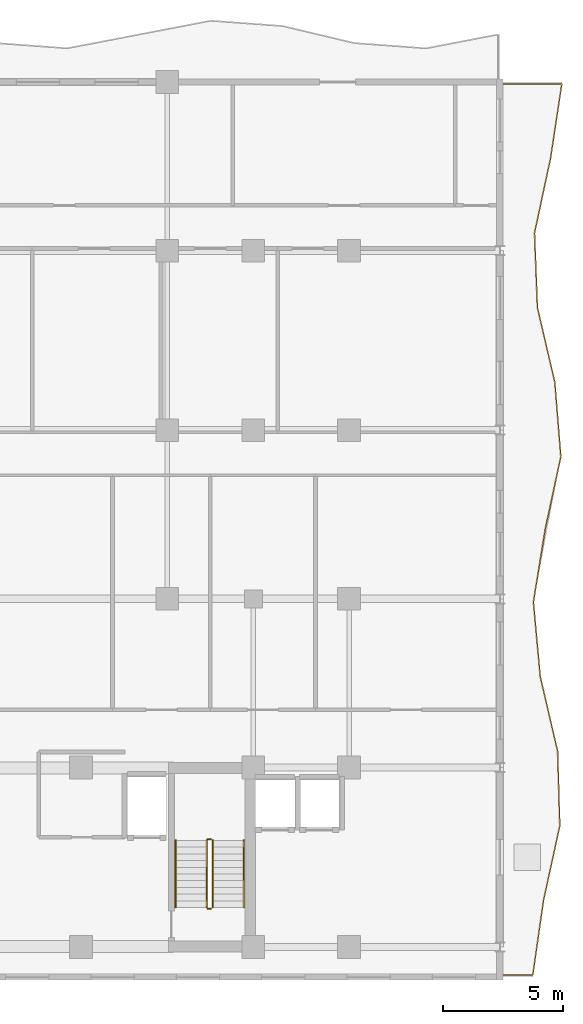
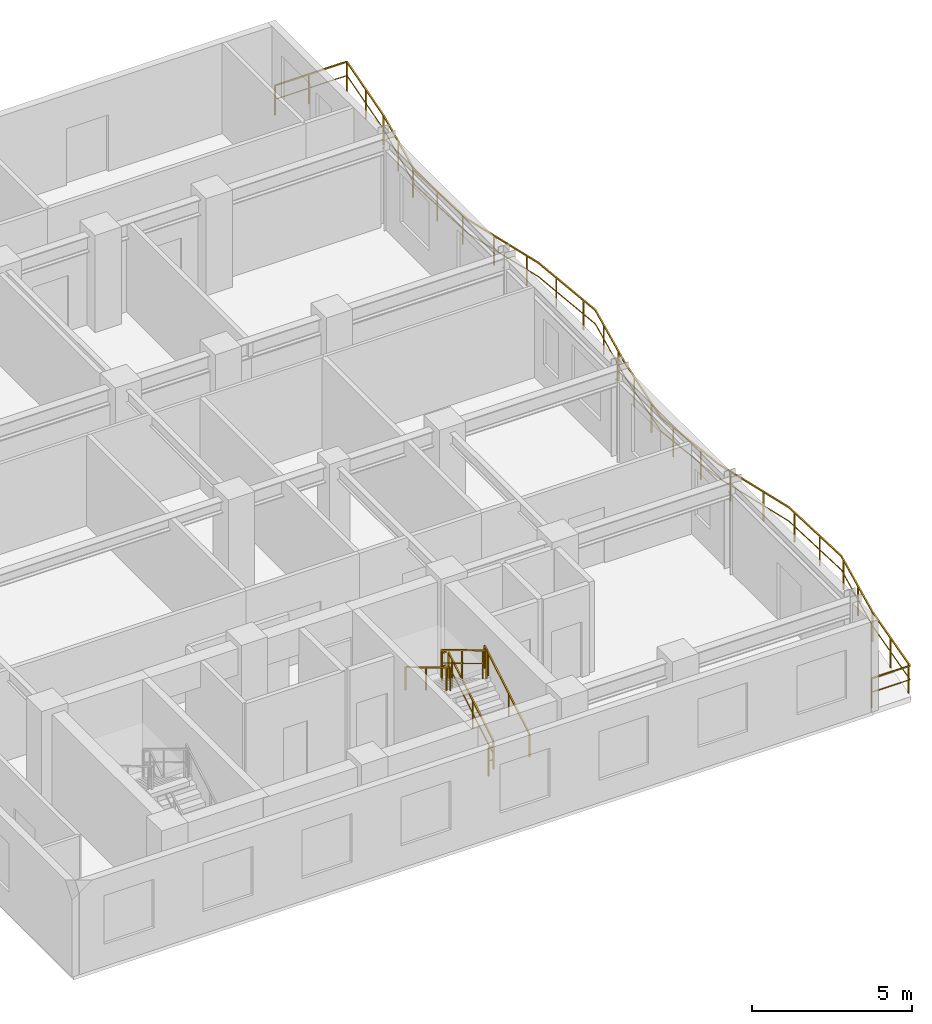
# One storey, part 19 of 20: 7 railings.
"""IFC4 building model written with IfcOpenShell, lengths in metres."""

import ifcopenshell
import ifcopenshell.guid

model = None  # the IFC model being written
_history = None  # IfcOwnerHistory: only IFC2X3 demands one
_inside = {}  # id of a spatial element -> (the spatial element, [elements in it])
_under = {}  # id of a project, library or spatial element -> (it, [spatial elements below it])
_declared = {}  # id of a project -> (the project, [libraries it declares])
_typed = {}  # id of a type object -> (the type object, [elements of that type])
_made_of = {}  # id of a material, layer set ... -> (it, [elements and type objects made of it])


def new_model(schema):
    """Start an empty IFC model of exactly this schema.

    Asked for "IFC4X3", IfcOpenShell would pick the latest addendum, in which some entities
    have other attributes; the version numbers below select the first issue.
    IFC2X3 requires an IfcOwnerHistory on every rooted entity: one is made here for all.
    """
    global model, _history
    if schema == "IFC4X3":
        model = ifcopenshell.file(schema_version=(4, 3, 0, 0))
    else:
        model = ifcopenshell.file(schema=schema)
    _inside.clear()
    _under.clear()
    _declared.clear()
    _typed.clear()
    _made_of.clear()
    _history = None
    if model.schema == "IFC2X3":
        org = make("IfcOrganization", Name="unknown")
        user = make(
            "IfcPersonAndOrganization",
            ThePerson=make("IfcPerson", FamilyName="unknown"),
            TheOrganization=org,
        )
        app = make(
            "IfcApplication",
            ApplicationDeveloper=org,
            Version="unknown",
            ApplicationFullName="unknown",
            ApplicationIdentifier="unknown",
        )
        _history = make(
            "IfcOwnerHistory",
            OwningUser=user,
            OwningApplication=app,
            ChangeAction="ADDED",
            CreationDate=0,
        )
    return model


def make(cls, **values):
    """One entity of the class cls with the attributes given. An attribute that is None is left unset."""
    return model.create_entity(
        cls, **{name: value for name, value in values.items() if value is not None}
    )


def rooted(cls, **values):
    """An entity with a GlobalId (a new one), such as an element, a storey or a relation."""
    return make(cls, GlobalId=ifcopenshell.guid.new(), OwnerHistory=_history, **values)


def si_unit(unit_type, name, prefix=None):
    """IfcSIUnit, for example si_unit("LENGTHUNIT", "METRE", prefix="MILLI")."""
    return make("IfcSIUnit", UnitType=unit_type, Prefix=prefix, Name=name)


def assignment(units):
    """IfcUnitAssignment: the units of a project."""
    return None if units is None else make("IfcUnitAssignment", Units=units)


def point(xyz):
    """IfcCartesianPoint."""
    return None if xyz is None else make("IfcCartesianPoint", Coordinates=xyz)


def direction(xyz):
    """IfcDirection."""
    return None if xyz is None else make("IfcDirection", DirectionRatios=xyz)


def frame(location, z_axis=None, x_axis=None):
    """IfcAxis2Placement3D, a coordinate frame: its origin and axes. An axis left out is left unset."""
    return make(
        "IfcAxis2Placement3D",
        Location=point(location),
        Axis=direction(z_axis),
        RefDirection=direction(x_axis),
    )


def frame_2d(location, x_axis=None):
    """IfcAxis2Placement2D, a coordinate frame in the plane: its origin and x axis."""
    return make(
        "IfcAxis2Placement2D", Location=point(location), RefDirection=direction(x_axis)
    )


def origin():
    """The frame at (0, 0, 0) with its axes left unset."""
    return frame((0.0, 0.0, 0.0))


def origin_2d():
    """The frame at (0, 0) in the plane with its x axis left unset."""
    return frame_2d((0.0, 0.0))


def place(relative_to, where):
    """IfcLocalPlacement: puts the frame where relative to a parent placement (None: the world)."""
    return make(
        "IfcLocalPlacement", PlacementRelTo=relative_to, RelativePlacement=where
    )


def context(
    kind, dimensions, precision=None, world=None, true_north=None, identifier=None
):
    """IfcGeometricRepresentationContext, for example the 3D "Model" context."""
    return make(
        "IfcGeometricRepresentationContext",
        ContextIdentifier=identifier,
        ContextType=kind,
        CoordinateSpaceDimension=dimensions,
        Precision=precision,
        WorldCoordinateSystem=world,
        TrueNorth=true_north,
    )


def subcontext(parent, identifier, kind, view, scale=None):
    """IfcGeometricRepresentationSubContext, for example "Body" below "Model"."""
    return make(
        "IfcGeometricRepresentationSubContext",
        ContextIdentifier=identifier,
        ContextType=kind,
        ParentContext=parent,
        TargetScale=scale,
        TargetView=view,
    )


def project(units=None, contexts=None):
    """IfcProject with its units and contexts."""
    return rooted(
        "IfcProject",
        Name="project",
        RepresentationContexts=contexts,
        UnitsInContext=assignment(units),
    )


def spatial(cls, under=None, at=None, **own):
    """A site, building, storey or space (cls), placed at a placement, below another one or the project."""
    s = rooted(cls, ObjectPlacement=at, **own)
    if under is not None:
        _under.setdefault(under.id(), (under, []))[1].append(s)
    return s


def profile(cls, at=None, kind="AREA", **sizes):
    """A parametric profile (cls). Its sizes go by their IFC names, for example OverallWidth=200.0."""
    return make(cls, ProfileType=kind, Position=at, **sizes)


def rectangle(**sizes):
    """IfcRectangleProfileDef."""
    return profile("IfcRectangleProfileDef", **sizes)


def extrude(swept, where, along, depth):
    """IfcExtrudedAreaSolid: the profile swept, set in the frame where, extruded along a direction by depth."""
    return make(
        "IfcExtrudedAreaSolid",
        SweptArea=swept,
        Position=where,
        ExtrudedDirection=direction(along),
        Depth=depth,
    )


def shape(context_of_items, identifier, shape_type, items):
    """IfcShapeRepresentation: the items that make up one representation, for example the "Body"."""
    return make(
        "IfcShapeRepresentation",
        ContextOfItems=context_of_items,
        RepresentationIdentifier=identifier,
        RepresentationType=shape_type,
        Items=items,
    )


def material(Name=None, Category=None):
    """IfcMaterial."""
    return make("IfcMaterial", Name=Name, Category=Category)


def made_of(thing, what):
    """Note that an element or type object is made of a material, layer set ...; save() writes the relation."""
    if what is not None:
        _made_of.setdefault(what.id(), (what, []))[1].append(thing)
    return thing


def type_object(cls, material=None, **own):
    """A type object (cls), such as IfcWallType, which elements share."""
    return made_of(rooted(cls, **own), material)


def element(
    cls,
    number,
    at=None,
    inside=None,
    cuts=None,
    type_object=None,
    material=None,
    context=None,
    identifier="Body",
    shape_type=None,
    held_by="IfcProductDefinitionShape",
    body=None,
    shapes=None,
    **own,
):
    """One element of the class cls, such as IfcWall. Its Tag is "e" and its number.

    at: its placement. inside: the storey or other place that contains it. cuts: it is an
    opening in that element (IfcRelVoidsElement). A single representation is given by context,
    identifier, shape_type and body (its items); several are given by shapes. held_by: the class
    of the entity that holds the representations. save() writes the other relations.
    """
    e = rooted(cls, Tag="e%d" % number, ObjectPlacement=at, **own)
    if body is not None:
        shapes = [shape(context, identifier, shape_type, body)]
    if shapes is not None:
        e.Representation = make(held_by, Representations=shapes)
    if inside is not None:
        _inside.setdefault(inside.id(), (inside, []))[1].append(e)
    if cuts is not None:
        rooted(
            "IfcRelVoidsElement", RelatingBuildingElement=cuts, RelatedOpeningElement=e
        )
    if type_object is not None:
        _typed.setdefault(type_object.id(), (type_object, []))[1].append(e)
    return made_of(e, material)


def aggregate(whole, parts):
    """IfcRelAggregates: a whole, such as a stair, and the parts it consists of."""
    return rooted("IfcRelAggregates", RelatingObject=whole, RelatedObjects=parts)


def save(model, path):
    """Write the relations noted so far, then the file.

    IfcRelAggregates (storeys below a building ...), IfcRelContainedInSpatialStructure (elements
    in a storey), IfcRelDefinesByType, IfcRelAssociatesMaterial and IfcRelDeclares: one each for
    every whole, place, type object, material and project.
    """
    for whole, parts in _under.values():
        aggregate(whole, parts)
    for where, things in _inside.values():
        rooted(
            "IfcRelContainedInSpatialStructure",
            RelatedElements=things,
            RelatingStructure=where,
        )
    for kind, things in _typed.values():
        rooted("IfcRelDefinesByType", RelatedObjects=things, RelatingType=kind)
    for what, things in _made_of.values():
        rooted("IfcRelAssociatesMaterial", RelatedObjects=things, RelatingMaterial=what)
    for by, libraries in _declared.values():
        rooted("IfcRelDeclares", RelatingContext=by, RelatedDefinitions=libraries)
    model.write(path)


model = new_model("IFC4")

# Units and contexts
model_context = context("Model", 3, precision=1e-05, world=origin(), true_north=direction((0.0, 1.0)))
body_context = subcontext(model_context, "Body", "Model", "MODEL_VIEW")
ifc_project = project(units=[si_unit("LENGTHUNIT", "METRE"), si_unit("AREAUNIT", "SQUARE_METRE"), si_unit("VOLUMEUNIT", "CUBIC_METRE"), si_unit("PLANEANGLEUNIT", "RADIAN"), si_unit("MASSUNIT", "GRAM", prefix="KILO")], contexts=[model_context])

# Site, building, storey
site_placement = place(None, origin())
site = spatial("IfcSite", under=ifc_project, at=site_placement, CompositionType="ELEMENT")
building_placement = place(site_placement, origin())
building = spatial("IfcBuilding", under=site, at=building_placement, Name="Kaliganga Portal Commons", CompositionType="ELEMENT")
storey_placement = place(building_placement, frame((0.0, 0.0, 201.800048828125)))
storey = spatial("IfcBuildingStorey", under=building, at=storey_placement, Name="L51", CompositionType="ELEMENT", Elevation=201.800048828125)

# Railings
ifc_material_1 = material(Name="Laminated Safety Glass and Stainless Steel 316", Category="steel")
railing_type_1 = type_object("IfcRailingType", Name="RLG-BAL-1150", PredefinedType="BALUSTRADE", material=ifc_material_1)
railing_1_placement = place(storey_placement, frame((60.707275390625, 5.879638671875, 0.0)))
element("IfcRailing", 1, at=railing_1_placement, inside=storey, type_object=railing_type_1, Name="Balcony Guardrail L51 balc_east", PredefinedType="BALUSTRADE", context=body_context, shape_type="SweptSolid", body=[
    extrude(rectangle(XDim=0.048095703125, YDim=0.048095703125, at=origin_2d()), frame((0.0, 0.0, 1.1259765625), z_axis=(0.999999984265, 0.000177399323, 0.0), x_axis=(-0.000177399323, 0.999999984265, 0.0)), (0.0, 0.0, 1.0), 1.376220703125),
    extrude(rectangle(XDim=0.028076171875, YDim=0.028076171875, at=origin_2d()), frame((0.0, 0.0, 0.597900390625), z_axis=(0.999999984265, 0.000177399323, 0.0), x_axis=(-0.000177399323, 0.999999984265, 0.0)), (0.0, 0.0, 1.0), 1.376220703125),
    extrude(rectangle(XDim=0.048095703125, YDim=0.048095703125, at=origin_2d()), frame((1.376220703125, 0.000244140625, 1.1259765625), z_axis=(0.142050942072, 0.989859348522, 0.0), x_axis=(-0.989859348522, 0.142050942072, 0.0)), (0.0, 0.0, 1.0), 3.148681640625),
    extrude(rectangle(XDim=0.028076171875, YDim=0.028076171875, at=origin_2d()), frame((1.376220703125, 0.000244140625, 0.597900390625), z_axis=(0.142050942072, 0.989859348522, 0.0), x_axis=(-0.989859348522, 0.142050942072, 0.0)), (0.0, 0.0, 1.0), 3.148681640625),
    extrude(rectangle(XDim=0.048095703125, YDim=0.048095703125, at=origin_2d()), frame((1.823486328125, 3.116943359375, 1.1259765625), z_axis=(0.213306548237, 0.976985320503, 0.0), x_axis=(-0.976985320503, 0.213306548237, 0.0)), (0.0, 0.0, 1.0), 3.18994140625),
    extrude(rectangle(XDim=0.028076171875, YDim=0.028076171875, at=origin_2d()), frame((1.823486328125, 3.116943359375, 0.597900390625), z_axis=(0.213306548237, 0.976985320503, 0.0), x_axis=(-0.976985320503, 0.213306548237, 0.0)), (0.0, 0.0, 1.0), 3.18994140625),
    extrude(rectangle(XDim=0.048095703125, YDim=0.048095703125, at=origin_2d()), frame((2.50390625, 6.2333984375, 1.1259765625), z_axis=(-0.029205772037, 0.999573420455, 0.0), x_axis=(-0.999573420455, -0.029205772037, 0.0)), (0.0, 0.0, 1.0), 3.117919921875),
    extrude(rectangle(XDim=0.028076171875, YDim=0.028076171875, at=origin_2d()), frame((2.50390625, 6.2333984375, 0.597900390625), z_axis=(-0.029205772037, 0.999573420455, 0.0), x_axis=(-0.999573420455, -0.029205772037, 0.0)), (0.0, 0.0, 1.0), 3.117919921875),
    extrude(rectangle(XDim=0.048095703125, YDim=0.048095703125, at=origin_2d()), frame((2.412841796875, 9.35009765625, 1.1259765625), z_axis=(-0.226797922916, 0.973941837155, 0.0), x_axis=(-0.973941837155, -0.226797922916, 0.0)), (0.0, 0.0, 1.0), 3.200439453125),
    extrude(rectangle(XDim=0.028076171875, YDim=0.028076171875, at=origin_2d()), frame((2.412841796875, 9.35009765625, 0.597900390625), z_axis=(-0.226797922916, 0.973941837155, 0.0), x_axis=(-0.973941837155, -0.226797922916, 0.0)), (0.0, 0.0, 1.0), 3.200439453125),
    extrude(rectangle(XDim=0.048095703125, YDim=0.048095703125, at=origin_2d()), frame((1.68701171875, 12.467041015625, 1.1259765625), z_axis=(-0.091358738014, 0.995818046125, 0.0), x_axis=(-0.995818046125, -0.091358738014, 0.0)), (0.0, 0.0, 1.0), 3.12939453125),
    extrude(rectangle(XDim=0.028076171875, YDim=0.028076171875, at=origin_2d()), frame((1.68701171875, 12.467041015625, 0.597900390625), z_axis=(-0.091358738014, 0.995818046125, 0.0), x_axis=(-0.995818046125, -0.091358738014, 0.0)), (0.0, 0.0, 1.0), 3.12939453125),
    extrude(rectangle(XDim=0.048095703125, YDim=0.048095703125, at=origin_2d()), frame((1.401123046875, 15.583251953125, 1.1259765625), z_axis=(0.159197507151, 0.987246754219, 0.0), x_axis=(-0.987246754219, 0.159197507151, 0.0)), (0.0, 0.0, 1.0), 3.076416015625),
    extrude(rectangle(XDim=0.028076171875, YDim=0.028076171875, at=origin_2d()), frame((1.401123046875, 15.583251953125, 0.597900390625), z_axis=(0.159197507151, 0.987246754219, 0.0), x_axis=(-0.987246754219, 0.159197507151, 0.0)), (0.0, 0.0, 1.0), 3.076416015625),
    extrude(rectangle(XDim=0.048095703125, YDim=0.048095703125, at=origin_2d()), frame((1.890869140625, 18.620361328125, 1.1259765625), z_axis=(0.210965851536, 0.97749343194, 0.0), x_axis=(-0.97749343194, 0.210965851536, 0.0)), (0.0, 0.0, 1.0), 3.109619140625),
    extrude(rectangle(XDim=0.028076171875, YDim=0.028076171875, at=origin_2d()), frame((1.890869140625, 18.620361328125, 0.597900390625), z_axis=(0.210965851536, 0.97749343194, 0.0), x_axis=(-0.97749343194, 0.210965851536, 0.0)), (0.0, 0.0, 1.0), 3.109619140625),
    extrude(rectangle(XDim=0.048095703125, YDim=0.048095703125, at=origin_2d()), frame((2.546875, 21.659912109375, 1.1259765625), z_axis=(-0.080484364027, 0.996755871388, 0.0), x_axis=(-0.996755871388, -0.080484364027, 0.0)), (0.0, 0.0, 1.0), 3.12451171875),
    extrude(rectangle(XDim=0.028076171875, YDim=0.028076171875, at=origin_2d()), frame((2.546875, 21.659912109375, 0.597900390625), z_axis=(-0.080484364027, 0.996755871388, 0.0), x_axis=(-0.996755871388, -0.080484364027, 0.0)), (0.0, 0.0, 1.0), 3.12451171875),
    extrude(rectangle(XDim=0.048095703125, YDim=0.048095703125, at=origin_2d()), frame((2.29541015625, 24.774169921875, 1.1259765625), z_axis=(-0.22728267604, 0.97382882745, 0.0), x_axis=(-0.97382882745, -0.22728267604, 0.0)), (0.0, 0.0, 1.0), 3.199951171875),
    extrude(rectangle(XDim=0.028076171875, YDim=0.028076171875, at=origin_2d()), frame((2.29541015625, 24.774169921875, 0.597900390625), z_axis=(-0.22728267604, 0.97382882745, 0.0), x_axis=(-0.97382882745, -0.22728267604, 0.0)), (0.0, 0.0, 1.0), 3.199951171875),
    extrude(rectangle(XDim=0.048095703125, YDim=0.048095703125, at=origin_2d()), frame((1.568115234375, 27.890380859375, 1.1259765625), z_axis=(-0.038589439843, 0.999255150166, 0.0), x_axis=(-0.999255150166, -0.038589439843, 0.0)), (0.0, 0.0, 1.0), 3.119140625),
    extrude(rectangle(XDim=0.028076171875, YDim=0.028076171875, at=origin_2d()), frame((1.568115234375, 27.890380859375, 0.597900390625), z_axis=(-0.038589439843, 0.999255150166, 0.0), x_axis=(-0.999255150166, -0.038589439843, 0.0)), (0.0, 0.0, 1.0), 3.119140625),
    extrude(rectangle(XDim=0.048095703125, YDim=0.048095703125, at=origin_2d()), frame((1.44775390625, 31.007080078125, 1.1259765625), z_axis=(0.209780147745, 0.977748582005, 0.0), x_axis=(-0.977748582005, 0.209780147745, 0.0)), (0.0, 0.0, 1.0), 3.187744140625),
    extrude(rectangle(XDim=0.028076171875, YDim=0.028076171875, at=origin_2d()), frame((1.44775390625, 31.007080078125, 0.597900390625), z_axis=(0.209780147745, 0.977748582005, 0.0), x_axis=(-0.977748582005, 0.209780147745, 0.0)), (0.0, 0.0, 1.0), 3.187744140625),
    extrude(rectangle(XDim=0.048095703125, YDim=0.048095703125, at=origin_2d()), frame((2.116455078125, 34.123779296875, 1.1259765625), z_axis=(0.14978702516, 0.988718285, 0.0), x_axis=(-0.988718285, 0.14978702516, 0.0)), (0.0, 0.0, 1.0), 3.15234375),
    extrude(rectangle(XDim=0.028076171875, YDim=0.028076171875, at=origin_2d()), frame((2.116455078125, 34.123779296875, 0.597900390625), z_axis=(0.14978702516, 0.988718285, 0.0), x_axis=(-0.988718285, 0.14978702516, 0.0)), (0.0, 0.0, 1.0), 3.15234375),
    extrude(rectangle(XDim=0.048095703125, YDim=0.048095703125, at=origin_2d()), frame((2.588623046875, 37.240478515625, 1.1259765625), z_axis=(-0.999999995553, 9.431293e-05, 0.0), x_axis=(-9.431293e-05, -0.999999995553, 0.0)), (0.0, 0.0, 1.0), 2.588623046875),
    extrude(rectangle(XDim=0.028076171875, YDim=0.028076171875, at=origin_2d()), frame((2.588623046875, 37.240478515625, 0.597900390625), z_axis=(-0.999999995553, 9.431293e-05, 0.0), x_axis=(-9.431293e-05, -0.999999995553, 0.0)), (0.0, 0.0, 1.0), 2.588623046875),
    extrude(rectangle(XDim=0.0419921875, YDim=0.0419921875, at=origin_2d()), origin(), (0.0, 0.0, 1.0), 1.101806640625),
    extrude(rectangle(XDim=0.0419921875, YDim=0.0419921875, at=origin_2d()), frame((1.393798828125, 0.122802734375, 0.0)), (0.0, 0.0, 1.0), 1.101806640625),
    extrude(rectangle(XDim=0.0419921875, YDim=0.0419921875, at=origin_2d()), frame((1.60693359375, 1.607666015625, 0.0)), (0.0, 0.0, 1.0), 1.101806640625),
    extrude(rectangle(XDim=0.0419921875, YDim=0.0419921875, at=origin_2d()), frame((1.823486328125, 3.116943359375, 0.0)), (0.0, 0.0, 1.0), 1.101806640625),
    extrude(rectangle(XDim=0.0419921875, YDim=0.0419921875, at=origin_2d()), frame((2.13818359375, 4.55810546875, 0.0)), (0.0, 0.0, 1.0), 1.101806640625),
    extrude(rectangle(XDim=0.0419921875, YDim=0.0419921875, at=origin_2d()), frame((2.4580078125, 6.023681640625, 0.0)), (0.0, 0.0, 1.0), 1.101806640625),
    extrude(rectangle(XDim=0.0419921875, YDim=0.0419921875, at=origin_2d()), frame((2.46630859375, 7.51806640625, 0.0)), (0.0, 0.0, 1.0), 1.101806640625),
    extrude(rectangle(XDim=0.0419921875, YDim=0.0419921875, at=origin_2d()), frame((2.422607421875, 9.017578125, 0.0)), (0.0, 0.0, 1.0), 1.101806640625),
    extrude(rectangle(XDim=0.0419921875, YDim=0.0419921875, at=origin_2d()), frame((2.148193359375, 10.48681640625, 0.0)), (0.0, 0.0, 1.0), 1.101806640625),
    extrude(rectangle(XDim=0.0419921875, YDim=0.0419921875, at=origin_2d()), frame((1.807861328125, 11.94775390625, 0.0)), (0.0, 0.0, 1.0), 1.101806640625),
    extrude(rectangle(XDim=0.0419921875, YDim=0.0419921875, at=origin_2d()), frame((1.5986328125, 13.429931640625, 0.0)), (0.0, 0.0, 1.0), 1.101806640625),
    extrude(rectangle(XDim=0.0419921875, YDim=0.0419921875, at=origin_2d()), frame((1.461669921875, 14.923583984375, 0.0)), (0.0, 0.0, 1.0), 1.101806640625),
    extrude(rectangle(XDim=0.0419921875, YDim=0.0419921875, at=origin_2d()), frame((1.534423828125, 16.41015625, 0.0)), (0.0, 0.0, 1.0), 1.101806640625),
    extrude(rectangle(XDim=0.0419921875, YDim=0.0419921875, at=origin_2d()), frame((1.773193359375, 17.89111328125, 0.0)), (0.0, 0.0, 1.0), 1.101806640625),
    extrude(rectangle(XDim=0.0419921875, YDim=0.0419921875, at=origin_2d()), frame((2.051513671875, 19.364501953125, 0.0)), (0.0, 0.0, 1.0), 1.101806640625),
    extrude(rectangle(XDim=0.0419921875, YDim=0.0419921875, at=origin_2d()), frame((2.367919921875, 20.830810546875, 0.0)), (0.0, 0.0, 1.0), 1.101806640625),
    extrude(rectangle(XDim=0.0419921875, YDim=0.0419921875, at=origin_2d()), frame((2.494384765625, 22.3095703125, 0.0)), (0.0, 0.0, 1.0), 1.101806640625),
    extrude(rectangle(XDim=0.0419921875, YDim=0.0419921875, at=origin_2d()), frame((2.373779296875, 23.8046875, 0.0)), (0.0, 0.0, 1.0), 1.101806640625),
    extrude(rectangle(XDim=0.0419921875, YDim=0.0419921875, at=origin_2d()), frame((2.175537109375, 25.28759765625, 0.0)), (0.0, 0.0, 1.0), 1.101806640625),
    extrude(rectangle(XDim=0.0419921875, YDim=0.0419921875, at=origin_2d()), frame((1.834716796875, 26.74853515625, 0.0)), (0.0, 0.0, 1.0), 1.101806640625),
    extrude(rectangle(XDim=0.0419921875, YDim=0.0419921875, at=origin_2d()), frame((1.555419921875, 28.217529296875, 0.0)), (0.0, 0.0, 1.0), 1.101806640625),
    extrude(rectangle(XDim=0.0419921875, YDim=0.0419921875, at=origin_2d()), frame((1.49755859375, 29.71630859375, 0.0)), (0.0, 0.0, 1.0), 1.101806640625),
    extrude(rectangle(XDim=0.0419921875, YDim=0.0419921875, at=origin_2d()), frame((1.491455078125, 31.210693359375, 0.0)), (0.0, 0.0, 1.0), 1.101806640625),
    extrude(rectangle(XDim=0.0419921875, YDim=0.0419921875, at=origin_2d()), frame((1.80615234375, 32.677490234375, 0.0)), (0.0, 0.0, 1.0), 1.101806640625),
    extrude(rectangle(XDim=0.0419921875, YDim=0.0419921875, at=origin_2d()), frame((2.11962890625, 34.144287109375, 0.0)), (0.0, 0.0, 1.0), 1.101806640625),
    extrude(rectangle(XDim=0.0419921875, YDim=0.0419921875, at=origin_2d()), frame((2.34423828125, 35.62744140625, 0.0)), (0.0, 0.0, 1.0), 1.101806640625),
    extrude(rectangle(XDim=0.0419921875, YDim=0.0419921875, at=origin_2d()), frame((2.588623046875, 37.240478515625, 0.0)), (0.0, 0.0, 1.0), 1.101806640625),
    extrude(rectangle(XDim=0.0419921875, YDim=0.0419921875, at=origin_2d()), frame((1.22021484375, 37.24072265625, 0.0)), (0.0, 0.0, 1.0), 1.101806640625),
    extrude(rectangle(XDim=0.0419921875, YDim=0.0419921875, at=origin_2d()), frame((0.0, 37.24072265625, 0.0)), (0.0, 0.0, 1.0), 1.101806640625),
])
ifc_material_2 = material(Name="Galvanized Painted Steel Balustrade", Category="steel")
railing_type_2 = type_object("IfcRailingType", Name="RLG-STAIR-GRD", PredefinedType="GUARDRAIL", material=ifc_material_2)
railing_2_placement = place(storey_placement, frame((48.699951171875, 8.699951171875, 0.168212890625)))
element("IfcRailing", 2, at=railing_2_placement, inside=storey, type_object=railing_type_2, Name="L51 ST-B2 stair guard 1", PredefinedType="GUARDRAIL", context=body_context, shape_type="SweptSolid", body=[
    extrude(rectangle(XDim=0.048095703125, YDim=0.048095703125, at=origin_2d()), frame((0.0, 0.0, 1.072021484375), z_axis=(0.0, 0.857275202839, 0.514858452973), x_axis=(-1.0, 0.0, 0.0)), (0.0, 0.0, 1.0), 3.26611328125),
    extrude(rectangle(XDim=0.028076171875, YDim=0.028076171875, at=origin_2d()), frame((0.0, 0.0, 0.572021484375), z_axis=(0.0, 0.857275202839, 0.514858452973), x_axis=(-1.0, 0.0, 0.0)), (0.0, 0.0, 1.0), 3.26611328125),
    extrude(rectangle(XDim=0.0419921875, YDim=0.0419921875, at=origin_2d()), origin(), (0.0, 0.0, 1.0), 1.052001953125),
    extrude(rectangle(XDim=0.0419921875, YDim=0.0419921875, at=origin_2d()), frame((0.0, 1.285888671875, 0.772216796875)), (0.0, 0.0, 1.0), 1.052001953125),
    extrude(rectangle(XDim=0.0419921875, YDim=0.0419921875, at=origin_2d()), frame((0.0, 2.57177734375, 1.544677734375)), (0.0, 0.0, 1.0), 1.052001953125),
    extrude(rectangle(XDim=0.0419921875, YDim=0.0419921875, at=origin_2d()), frame((0.0, 2.800048828125, 1.681640625)), (0.0, 0.0, 1.0), 1.052001953125),
])
railing_3_placement = place(storey_placement, frame((48.64990234375, 11.550048828125, 1.849853515625)))
element("IfcRailing", 3, at=railing_3_placement, inside=storey, type_object=railing_type_2, Name="L51 ST-B2 stair guard 2", PredefinedType="GUARDRAIL", context=body_context, shape_type="SweptSolid", body=[
    extrude(rectangle(XDim=0.048095703125, YDim=0.048095703125, at=origin_2d()), frame((0.0, 0.0, 1.076171875), z_axis=(-1.0, 0.0, 0.0), x_axis=(0.0, -1.0, 0.0)), (0.0, 0.0, 1.0), 0.14990234375),
    extrude(rectangle(XDim=0.028076171875, YDim=0.028076171875, at=origin_2d()), frame((0.0, 0.0, 0.572021484375), z_axis=(-1.0, 0.0, 0.0), x_axis=(0.0, -1.0, 0.0)), (0.0, 0.0, 1.0), 0.14990234375),
    extrude(rectangle(XDim=0.0419921875, YDim=0.0419921875, at=origin_2d()), frame((-0.14990234375, 0.0, 0.0)), (0.0, 0.0, 1.0), 1.052001953125),
])
railing_4_placement = place(storey_placement, frame((48.449951171875, 11.5, 2.01806640625)))
element("IfcRailing", 4, at=railing_4_placement, inside=storey, type_object=railing_type_2, Name="L51 ST-B2 stair guard 3", PredefinedType="GUARDRAIL", context=body_context, shape_type="SweptSolid", body=[
    extrude(rectangle(XDim=0.048095703125, YDim=0.048095703125, at=origin_2d()), frame((0.0, 0.0, 1.072021484375), z_axis=(0.0, -0.857242210791, 0.514913383045), x_axis=(1.0, 0.0, 0.0)), (0.0, 0.0, 1.0), 3.266357421875),
    extrude(rectangle(XDim=0.028076171875, YDim=0.028076171875, at=origin_2d()), frame((0.0, 0.0, 0.572021484375), z_axis=(0.0, -0.857242210791, 0.514913383045), x_axis=(1.0, 0.0, 0.0)), (0.0, 0.0, 1.0), 3.266357421875),
    extrude(rectangle(XDim=0.0419921875, YDim=0.0419921875, at=origin_2d()), origin(), (0.0, 0.0, 1.0), 1.052001953125),
    extrude(rectangle(XDim=0.0419921875, YDim=0.0419921875, at=origin_2d()), frame((0.0, -1.285888671875, 0.7724609375)), (0.0, 0.0, 1.0), 1.052001953125),
    extrude(rectangle(XDim=0.0419921875, YDim=0.0419921875, at=origin_2d()), frame((0.0, -2.57177734375, 1.544677734375)), (0.0, 0.0, 1.0), 1.052001953125),
    extrude(rectangle(XDim=0.0419921875, YDim=0.0419921875, at=origin_2d()), frame((0.0, -2.800048828125, 1.681884765625)), (0.0, 0.0, 1.0), 1.052001953125),
])
railing_5_placement = place(storey_placement, frame((48.64990234375, 8.64990234375, 0.0)))
element("IfcRailing", 5, at=railing_5_placement, inside=storey, type_object=railing_type_2, Name="L51 ST-B2 stair guard 4", PredefinedType="GUARDRAIL", context=body_context, shape_type="SweptSolid", body=[
    extrude(rectangle(XDim=0.048095703125, YDim=0.048095703125, at=origin_2d()), frame((0.0, 0.0, 1.076171875), z_axis=(-1.0, 0.0, 0.0), x_axis=(0.0, -1.0, 0.0)), (0.0, 0.0, 1.0), 0.14990234375),
    extrude(rectangle(XDim=0.028076171875, YDim=0.028076171875, at=origin_2d()), frame((0.0, 0.0, 0.572021484375), z_axis=(-1.0, 0.0, 0.0), x_axis=(0.0, -1.0, 0.0)), (0.0, 0.0, 1.0), 0.14990234375),
    extrude(rectangle(XDim=0.0419921875, YDim=0.0419921875, at=origin_2d()), frame((-0.14990234375, 0.0, 0.0)), (0.0, 0.0, 1.0), 1.052001953125),
])
ifc_material_3 = material(Name="Brushed Stainless Steel 316", Category="steel")
railing_type_3 = type_object("IfcRailingType", Name="RLG-STAIR-HR", PredefinedType="HANDRAIL", material=ifc_material_3)
railing_6_placement = place(storey_placement, frame((50.0, 8.699951171875, 0.168212890625)))
element("IfcRailing", 6, at=railing_6_placement, inside=storey, type_object=railing_type_3, Name="L51 ST-B2 stair handrail 1", PredefinedType="HANDRAIL", context=body_context, shape_type="SweptSolid", body=[
    extrude(rectangle(XDim=0.048095703125, YDim=0.048095703125, at=origin_2d()), frame((0.0, 0.0, 0.871826171875), z_axis=(0.0, 0.857275202839, 0.514858452973), x_axis=(-1.0, 0.0, 0.0)), (0.0, 0.0, 1.0), 3.26611328125),
    extrude(rectangle(XDim=0.0419921875, YDim=0.0419921875, at=origin_2d()), origin(), (0.0, 0.0, 1.0), 0.851806640625),
    extrude(rectangle(XDim=0.0419921875, YDim=0.0419921875, at=origin_2d()), frame((0.0, 1.285888671875, 0.772216796875)), (0.0, 0.0, 1.0), 0.851806640625),
    extrude(rectangle(XDim=0.0419921875, YDim=0.0419921875, at=origin_2d()), frame((0.0, 2.57177734375, 1.544677734375)), (0.0, 0.0, 1.0), 0.851806640625),
    extrude(rectangle(XDim=0.0419921875, YDim=0.0419921875, at=origin_2d()), frame((0.0, 2.800048828125, 1.681640625)), (0.0, 0.0, 1.0), 0.851806640625),
])
railing_7_placement = place(storey_placement, frame((47.14990234375, 11.5, 2.01806640625)))
element("IfcRailing", 7, at=railing_7_placement, inside=storey, type_object=railing_type_3, Name="L51 ST-B2 stair handrail 2", PredefinedType="HANDRAIL", context=body_context, shape_type="SweptSolid", body=[
    extrude(rectangle(XDim=0.048095703125, YDim=0.048095703125, at=origin_2d()), frame((0.0, 0.0, 0.871826171875), z_axis=(0.0, -0.857242210791, 0.514913383045), x_axis=(1.0, 0.0, 0.0)), (0.0, 0.0, 1.0), 3.266357421875),
    extrude(rectangle(XDim=0.0419921875, YDim=0.0419921875, at=origin_2d()), origin(), (0.0, 0.0, 1.0), 0.851806640625),
    extrude(rectangle(XDim=0.0419921875, YDim=0.0419921875, at=origin_2d()), frame((0.0, -1.285888671875, 0.7724609375)), (0.0, 0.0, 1.0), 0.851806640625),
    extrude(rectangle(XDim=0.0419921875, YDim=0.0419921875, at=origin_2d()), frame((0.0, -2.57177734375, 1.544677734375)), (0.0, 0.0, 1.0), 0.851806640625),
    extrude(rectangle(XDim=0.0419921875, YDim=0.0419921875, at=origin_2d()), frame((0.0, -2.800048828125, 1.681884765625)), (0.0, 0.0, 1.0), 0.851806640625),
])

save(model, "model.ifc")
